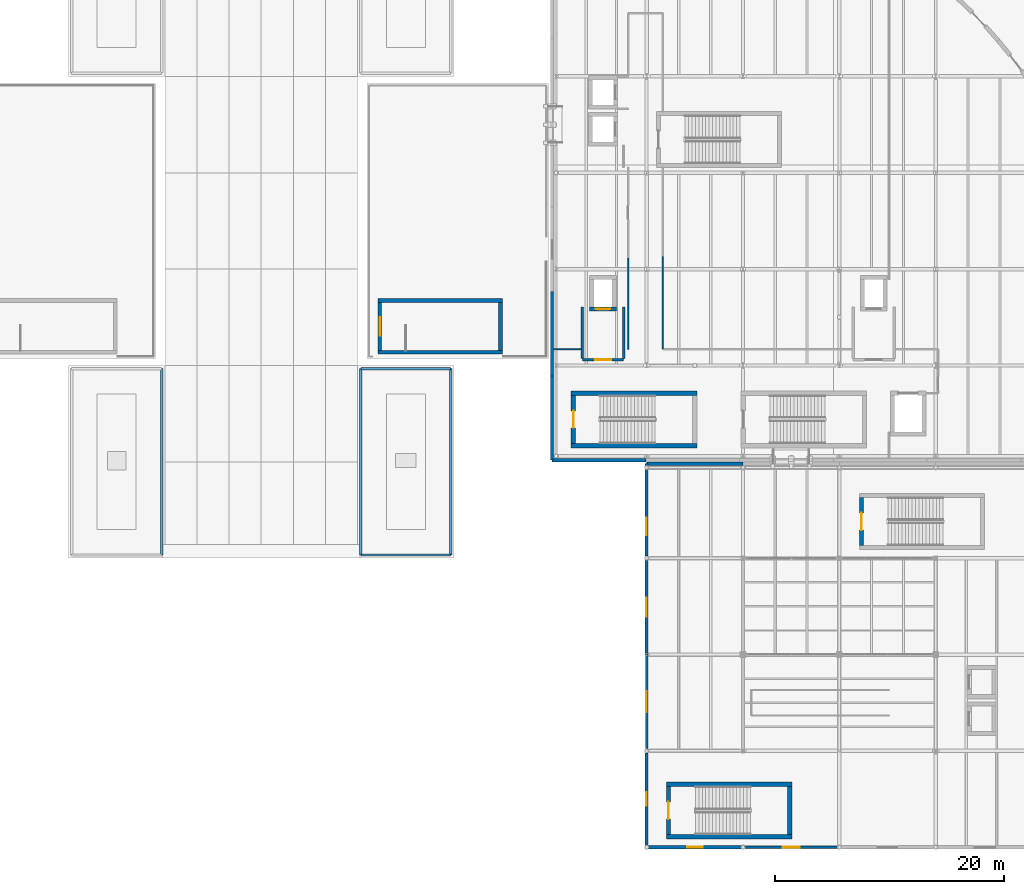
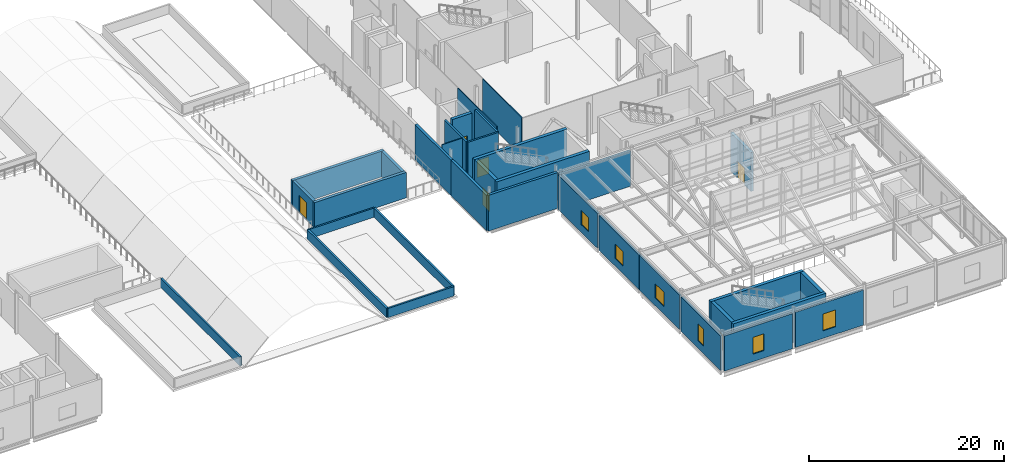
# One storey, part 67 of 91: 34 walls, 6 doors, 6 windows, 12 openings.
"""IFC4 building model written with IfcOpenShell, lengths in metres."""

import ifcopenshell
import ifcopenshell.guid

model = None  # the IFC model being written
_history = None  # IfcOwnerHistory: only IFC2X3 demands one
_inside = {}  # id of a spatial element -> (the spatial element, [elements in it])
_under = {}  # id of a project, library or spatial element -> (it, [spatial elements below it])
_declared = {}  # id of a project -> (the project, [libraries it declares])
_typed = {}  # id of a type object -> (the type object, [elements of that type])
_made_of = {}  # id of a material, layer set ... -> (it, [elements and type objects made of it])


def new_model(schema):
    """Start an empty IFC model of exactly this schema.

    Asked for "IFC4X3", IfcOpenShell would pick the latest addendum, in which some entities
    have other attributes; the version numbers below select the first issue.
    IFC2X3 requires an IfcOwnerHistory on every rooted entity: one is made here for all.
    """
    global model, _history
    if schema == "IFC4X3":
        model = ifcopenshell.file(schema_version=(4, 3, 0, 0))
    else:
        model = ifcopenshell.file(schema=schema)
    _inside.clear()
    _under.clear()
    _declared.clear()
    _typed.clear()
    _made_of.clear()
    _history = None
    if model.schema == "IFC2X3":
        org = make("IfcOrganization", Name="unknown")
        user = make(
            "IfcPersonAndOrganization",
            ThePerson=make("IfcPerson", FamilyName="unknown"),
            TheOrganization=org,
        )
        app = make(
            "IfcApplication",
            ApplicationDeveloper=org,
            Version="unknown",
            ApplicationFullName="unknown",
            ApplicationIdentifier="unknown",
        )
        _history = make(
            "IfcOwnerHistory",
            OwningUser=user,
            OwningApplication=app,
            ChangeAction="ADDED",
            CreationDate=0,
        )
    return model


def make(cls, **values):
    """One entity of the class cls with the attributes given. An attribute that is None is left unset."""
    return model.create_entity(
        cls, **{name: value for name, value in values.items() if value is not None}
    )


def rooted(cls, **values):
    """An entity with a GlobalId (a new one), such as an element, a storey or a relation."""
    return make(cls, GlobalId=ifcopenshell.guid.new(), OwnerHistory=_history, **values)


def si_unit(unit_type, name, prefix=None):
    """IfcSIUnit, for example si_unit("LENGTHUNIT", "METRE", prefix="MILLI")."""
    return make("IfcSIUnit", UnitType=unit_type, Prefix=prefix, Name=name)


def assignment(units):
    """IfcUnitAssignment: the units of a project."""
    return None if units is None else make("IfcUnitAssignment", Units=units)


def point(xyz):
    """IfcCartesianPoint."""
    return None if xyz is None else make("IfcCartesianPoint", Coordinates=xyz)


def direction(xyz):
    """IfcDirection."""
    return None if xyz is None else make("IfcDirection", DirectionRatios=xyz)


def frame(location, z_axis=None, x_axis=None):
    """IfcAxis2Placement3D, a coordinate frame: its origin and axes. An axis left out is left unset."""
    return make(
        "IfcAxis2Placement3D",
        Location=point(location),
        Axis=direction(z_axis),
        RefDirection=direction(x_axis),
    )


def frame_2d(location, x_axis=None):
    """IfcAxis2Placement2D, a coordinate frame in the plane: its origin and x axis."""
    return make(
        "IfcAxis2Placement2D", Location=point(location), RefDirection=direction(x_axis)
    )


def origin():
    """The frame at (0, 0, 0) with its axes left unset."""
    return frame((0.0, 0.0, 0.0))


def place(relative_to, where):
    """IfcLocalPlacement: puts the frame where relative to a parent placement (None: the world)."""
    return make(
        "IfcLocalPlacement", PlacementRelTo=relative_to, RelativePlacement=where
    )


def context(
    kind, dimensions, precision=None, world=None, true_north=None, identifier=None
):
    """IfcGeometricRepresentationContext, for example the 3D "Model" context."""
    return make(
        "IfcGeometricRepresentationContext",
        ContextIdentifier=identifier,
        ContextType=kind,
        CoordinateSpaceDimension=dimensions,
        Precision=precision,
        WorldCoordinateSystem=world,
        TrueNorth=true_north,
    )


def subcontext(parent, identifier, kind, view, scale=None):
    """IfcGeometricRepresentationSubContext, for example "Body" below "Model"."""
    return make(
        "IfcGeometricRepresentationSubContext",
        ContextIdentifier=identifier,
        ContextType=kind,
        ParentContext=parent,
        TargetScale=scale,
        TargetView=view,
    )


def project(units=None, contexts=None):
    """IfcProject with its units and contexts."""
    return rooted(
        "IfcProject",
        Name="project",
        RepresentationContexts=contexts,
        UnitsInContext=assignment(units),
    )


def spatial(cls, under=None, at=None, **own):
    """A site, building, storey or space (cls), placed at a placement, below another one or the project."""
    s = rooted(cls, ObjectPlacement=at, **own)
    if under is not None:
        _under.setdefault(under.id(), (under, []))[1].append(s)
    return s


def profile(cls, at=None, kind="AREA", **sizes):
    """A parametric profile (cls). Its sizes go by their IFC names, for example OverallWidth=200.0."""
    return make(cls, ProfileType=kind, Position=at, **sizes)


def rectangle(**sizes):
    """IfcRectangleProfileDef."""
    return profile("IfcRectangleProfileDef", **sizes)


def extrude(swept, where, along, depth):
    """IfcExtrudedAreaSolid: the profile swept, set in the frame where, extruded along a direction by depth."""
    return make(
        "IfcExtrudedAreaSolid",
        SweptArea=swept,
        Position=where,
        ExtrudedDirection=direction(along),
        Depth=depth,
    )


def shape(context_of_items, identifier, shape_type, items):
    """IfcShapeRepresentation: the items that make up one representation, for example the "Body"."""
    return make(
        "IfcShapeRepresentation",
        ContextOfItems=context_of_items,
        RepresentationIdentifier=identifier,
        RepresentationType=shape_type,
        Items=items,
    )


def material(Name=None, Category=None):
    """IfcMaterial."""
    return make("IfcMaterial", Name=Name, Category=Category)


def layer(
    of_material, thickness, ventilated=None, Name=None, Category=None, Priority=None
):
    """IfcMaterialLayer: one layer of a wall or slab, of a material (None: an air gap)."""
    return make(
        "IfcMaterialLayer",
        Material=of_material,
        LayerThickness=thickness,
        IsVentilated=ventilated,
        Name=Name,
        Category=Category,
        Priority=Priority,
    )


def layer_set(layers, Name=None):
    """IfcMaterialLayerSet."""
    return make("IfcMaterialLayerSet", MaterialLayers=layers, LayerSetName=Name)


def made_of(thing, what):
    """Note that an element or type object is made of a material, layer set ...; save() writes the relation."""
    if what is not None:
        _made_of.setdefault(what.id(), (what, []))[1].append(thing)
    return thing


def type_object(cls, material=None, **own):
    """A type object (cls), such as IfcWallType, which elements share."""
    return made_of(rooted(cls, **own), material)


def element(
    cls,
    number,
    at=None,
    inside=None,
    cuts=None,
    type_object=None,
    material=None,
    context=None,
    identifier="Body",
    shape_type=None,
    held_by="IfcProductDefinitionShape",
    body=None,
    shapes=None,
    **own,
):
    """One element of the class cls, such as IfcWall. Its Tag is "e" and its number.

    at: its placement. inside: the storey or other place that contains it. cuts: it is an
    opening in that element (IfcRelVoidsElement). A single representation is given by context,
    identifier, shape_type and body (its items); several are given by shapes. held_by: the class
    of the entity that holds the representations. save() writes the other relations.
    """
    e = rooted(cls, Tag="e%d" % number, ObjectPlacement=at, **own)
    if body is not None:
        shapes = [shape(context, identifier, shape_type, body)]
    if shapes is not None:
        e.Representation = make(held_by, Representations=shapes)
    if inside is not None:
        _inside.setdefault(inside.id(), (inside, []))[1].append(e)
    if cuts is not None:
        rooted(
            "IfcRelVoidsElement", RelatingBuildingElement=cuts, RelatedOpeningElement=e
        )
    if type_object is not None:
        _typed.setdefault(type_object.id(), (type_object, []))[1].append(e)
    return made_of(e, material)


def fill(opening, filler):
    """IfcRelFillsElement: the door or window that sits in an opening."""
    return rooted(
        "IfcRelFillsElement",
        RelatingOpeningElement=opening,
        RelatedBuildingElement=filler,
    )


def aggregate(whole, parts):
    """IfcRelAggregates: a whole, such as a stair, and the parts it consists of."""
    return rooted("IfcRelAggregates", RelatingObject=whole, RelatedObjects=parts)


def save(model, path):
    """Write the relations noted so far, then the file.

    IfcRelAggregates (storeys below a building ...), IfcRelContainedInSpatialStructure (elements
    in a storey), IfcRelDefinesByType, IfcRelAssociatesMaterial and IfcRelDeclares: one each for
    every whole, place, type object, material and project.
    """
    for whole, parts in _under.values():
        aggregate(whole, parts)
    for where, things in _inside.values():
        rooted(
            "IfcRelContainedInSpatialStructure",
            RelatedElements=things,
            RelatingStructure=where,
        )
    for kind, things in _typed.values():
        rooted("IfcRelDefinesByType", RelatedObjects=things, RelatingType=kind)
    for what, things in _made_of.values():
        rooted("IfcRelAssociatesMaterial", RelatedObjects=things, RelatingMaterial=what)
    for by, libraries in _declared.values():
        rooted("IfcRelDeclares", RelatingContext=by, RelatedDefinitions=libraries)
    model.write(path)


model = new_model("IFC4")

# Units and contexts
model_context = context("Model", 3, precision=1e-05, world=origin(), true_north=direction((0.0, 1.0)))
body_context = subcontext(model_context, "Body", "Model", "MODEL_VIEW")
ifc_project = project(units=[si_unit("LENGTHUNIT", "METRE"), si_unit("AREAUNIT", "SQUARE_METRE"), si_unit("VOLUMEUNIT", "CUBIC_METRE"), si_unit("PLANEANGLEUNIT", "RADIAN"), si_unit("MASSUNIT", "GRAM", prefix="KILO"), si_unit("THERMODYNAMICTEMPERATUREUNIT", "KELVIN")], contexts=[model_context])

# Site, building, storey
site_placement = place(None, origin())
site = spatial("IfcSite", under=ifc_project, at=site_placement, CompositionType="ELEMENT")
building_placement = place(site_placement, origin())
building = spatial("IfcBuilding", under=site, at=building_placement, Name="Lustrewick Department Store", CompositionType="ELEMENT")
storey_placement = place(building_placement, frame((0.0, 0.0, 21.60009765625)))
storey = spatial("IfcBuildingStorey", under=building, at=storey_placement, Name="L05", CompositionType="ELEMENT", Elevation=21.60009765625)

# Wall, opening, window
ifc_material_1 = material(Name="Precast concrete C40", Category="concrete")
ifc_layer_1 = layer(ifc_material_1, 0.239990234375, Name="Precast concrete C40")
ifc_layer_set_1 = layer_set([ifc_layer_1], Name="Precast concrete C40")
wall_type_1 = type_object("IfcWallType", Name="EW01", PredefinedType="STANDARD", material=ifc_layer_set_1)
wall_1_placement = place(storey_placement, frame((117.60009765625, 33.60009765625, 0.0), z_axis=(0.0, 0.0, 1.0), x_axis=(0.0, -1.0, 0.0)))
wall_1 = element("IfcWall", 1, at=wall_1_placement, inside=storey, type_object=wall_type_1, Name="L05 V3 Exterior Wall EW01", PredefinedType="STANDARD", context=body_context, shape_type="SweptSolid", body=[
    extrude(rectangle(XDim=8.22705078125, YDim=0.239990234375, at=frame_2d((4.113525390625, 0.0))), origin(), (0.0, 0.0, 1.0), 4.330810546875),
])
opening_1_placement = place(wall_1_placement, frame((3.21337890625, 0.0, 0.949951171875)))
opening_1 = element("IfcOpeningElement", 2, at=opening_1_placement, cuts=wall_1, Name="Opening WN05", PredefinedType="OPENING", context=body_context, shape_type="SweptSolid", body=[
    extrude(rectangle(XDim=1.800048828125, YDim=1.800048828125, at=frame_2d((0.89990234375, 0.89990234375))), frame((0.0, 0.1298828125, 0.0), z_axis=(0.0, -1.0, 0.0), x_axis=(1.0, 0.0, 0.0)), (0.0, 0.0, 1.0), 0.260009765625),
])
ifc_material_2 = material(Name="Thermally broken Low-E triple-glazed window", Category="glass")
window_type_1 = type_object("IfcWindowType", Name="WN05", PartitioningType="DOUBLE_PANEL_VERTICAL", PredefinedType="WINDOW", material=ifc_material_2)
window_1_placement = place(opening_1_placement, origin())
window_1 = element("IfcWindow", 3, at=window_1_placement, inside=storey, type_object=window_type_1, Name="L05 Art Nouveau Window WN05", OverallHeight=1.800048828125, OverallWidth=1.800048828125, PartitioningType="SINGLE_PANEL", PredefinedType="WINDOW", context=body_context, shape_type="SweptSolid", body=[
    extrude(rectangle(XDim=1.800048828125, YDim=1.800048828125, at=frame_2d((0.89990234375, 0.89990234375))), frame((0.0, 0.030029296875, 0.0), z_axis=(0.0, -1.0, 0.0), x_axis=(1.0, 0.0, 0.0)), (0.0, 0.0, 1.0), 0.06005859375),
])
fill(opening_1, window_1)

wall_2_placement = place(storey_placement, frame((126.173095703125, 16.800048828125, 0.0), z_axis=(0.0, 0.0, 1.0), x_axis=(1.0, 0.0, 0.0)))
wall_2 = element("IfcWall", 4, at=wall_2_placement, inside=storey, type_object=wall_type_1, Name="L05 V3 Exterior Wall EW01", PredefinedType="STANDARD", context=body_context, shape_type="SweptSolid", body=[
    extrude(rectangle(XDim=8.053955078125, YDim=0.239990234375, at=frame_2d((4.02685546875, 0.0))), origin(), (0.0, 0.0, 1.0), 4.39697265625),
])
opening_2_placement = place(wall_2_placement, frame((3.277099609375, 0.0, 0.949951171875)))
opening_2 = element("IfcOpeningElement", 5, at=opening_2_placement, cuts=wall_2, Name="Opening WN08", PredefinedType="OPENING", context=body_context, shape_type="SweptSolid", body=[
    extrude(rectangle(XDim=1.5, YDim=2.10009765625, at=frame_2d((0.75, 1.050048828125))), frame((0.0, 0.1298828125, 0.0), z_axis=(0.0, -1.0, 0.0), x_axis=(1.0, 0.0, 0.0)), (0.0, 0.0, 1.0), 0.260009765625),
])
window_type_2 = type_object("IfcWindowType", Name="WN08", PartitioningType="DOUBLE_PANEL_VERTICAL", PredefinedType="WINDOW", material=ifc_material_2)
window_2_placement = place(opening_2_placement, origin())
window_2 = element("IfcWindow", 6, at=window_2_placement, inside=storey, type_object=window_type_2, Name="L05 Art Nouveau Window WN08", OverallHeight=2.10009765625, OverallWidth=1.5, PartitioningType="SINGLE_PANEL", PredefinedType="WINDOW", context=body_context, shape_type="SweptSolid", body=[
    extrude(rectangle(XDim=1.5, YDim=2.10009765625, at=frame_2d((0.75, 1.050048828125))), frame((0.0, 0.030029296875, 0.0), z_axis=(0.0, -1.0, 0.0), x_axis=(1.0, 0.0, 0.0)), (0.0, 0.0, 1.0), 0.06005859375),
])
fill(opening_2, window_2)

ifc_layer_2 = layer(ifc_material_1, 0.260009765625, Name="Precast concrete C40")
ifc_layer_set_2 = layer_set([ifc_layer_2], Name="Precast concrete C40")
wall_type_2 = type_object("IfcWallType", Name="EW02", PredefinedType="STANDARD", material=ifc_layer_set_2)
wall_3_placement = place(storey_placement, frame((117.60009765625, 50.25, 0.0), z_axis=(0.0, 0.0, 1.0), x_axis=(0.0, -1.0, 0.0)))
wall_3 = element("IfcWall", 7, at=wall_3_placement, inside=storey, type_object=wall_type_2, Name="L05 V3 Exterior Wall EW02", PredefinedType="STANDARD", context=body_context, shape_type="SweptSolid", body=[
    extrude(rectangle(XDim=8.076904296875, YDim=0.260009765625, at=frame_2d((4.03857421875, 0.0))), origin(), (0.0, 0.0, 1.0), 4.330810546875),
])
opening_3_placement = place(wall_3_placement, frame((4.742431640625, 0.0, 0.949951171875)))
opening_3 = element("IfcOpeningElement", 8, at=opening_3_placement, cuts=wall_3, Name="Opening WN03", PredefinedType="OPENING", context=body_context, shape_type="SweptSolid", body=[
    extrude(rectangle(XDim=1.5, YDim=1.800048828125, at=frame_2d((0.75, 0.89990234375))), frame((0.0, 0.14013671875, 0.0), z_axis=(0.0, -1.0, 0.0), x_axis=(1.0, 0.0, 0.0)), (0.0, 0.0, 1.0), 0.280029296875),
])
window_type_3 = type_object("IfcWindowType", Name="WN03", PartitioningType="DOUBLE_PANEL_VERTICAL", PredefinedType="WINDOW", material=ifc_material_2)
window_3_placement = place(opening_3_placement, origin())
window_3 = element("IfcWindow", 9, at=window_3_placement, inside=storey, type_object=window_type_3, Name="L05 Art Nouveau Window WN03", OverallHeight=1.800048828125, OverallWidth=1.5, PartitioningType="SINGLE_PANEL", PredefinedType="WINDOW", context=body_context, shape_type="SweptSolid", body=[
    extrude(rectangle(XDim=1.5, YDim=1.800048828125, at=frame_2d((0.75, 0.89990234375))), frame((0.0, 0.030029296875, 0.0), z_axis=(0.0, -1.0, 0.0), x_axis=(1.0, 0.0, 0.0)), (0.0, 0.0, 1.0), 0.06005859375),
])
fill(opening_3, window_3)

wall_4_placement = place(storey_placement, frame((117.60009765625, 25.027099609375, 0.0), z_axis=(0.0, 0.0, 1.0), x_axis=(0.0, -1.0, 0.0)))
wall_4 = element("IfcWall", 10, at=wall_4_placement, inside=storey, type_object=wall_type_2, Name="L05 V3 Exterior Wall EW02", PredefinedType="STANDARD", context=body_context, shape_type="SweptSolid", body=[
    extrude(rectangle(XDim=8.05419921875, YDim=0.260009765625, at=frame_2d((4.027099609375, 0.0))), origin(), (0.0, 0.0, 1.0), 4.330810546875),
])
opening_4_placement = place(wall_4_placement, frame((3.427001953125, 0.0, 0.949951171875)))
opening_4 = element("IfcOpeningElement", 11, at=opening_4_placement, cuts=wall_4, Name="Opening WN06", PredefinedType="OPENING", context=body_context, shape_type="SweptSolid", body=[
    extrude(rectangle(XDim=1.199951171875, YDim=2.10009765625, at=frame_2d((0.60009765625, 1.050048828125))), frame((0.0, 0.14013671875, 0.0), z_axis=(0.0, -1.0, 0.0), x_axis=(1.0, 0.0, 0.0)), (0.0, 0.0, 1.0), 0.280029296875),
])
window_type_4 = type_object("IfcWindowType", Name="WN06", PartitioningType="DOUBLE_PANEL_VERTICAL", PredefinedType="WINDOW", material=ifc_material_2)
window_4_placement = place(opening_4_placement, origin())
window_4 = element("IfcWindow", 12, at=window_4_placement, inside=storey, type_object=window_type_4, Name="L05 Art Nouveau Window WN06", OverallHeight=2.10009765625, OverallWidth=1.199951171875, PartitioningType="SINGLE_PANEL", PredefinedType="WINDOW", context=body_context, shape_type="SweptSolid", body=[
    extrude(rectangle(XDim=1.199951171875, YDim=2.10009765625, at=frame_2d((0.60009765625, 1.050048828125))), frame((0.0, 0.030029296875, 0.0), z_axis=(0.0, -1.0, 0.0), x_axis=(1.0, 0.0, 0.0)), (0.0, 0.0, 1.0), 0.06005859375),
])
fill(opening_4, window_4)

ifc_layer_3 = layer(ifc_material_1, 0.280029296875, Name="Precast concrete C40")
ifc_layer_set_3 = layer_set([ifc_layer_3], Name="Precast concrete C40")
wall_type_3 = type_object("IfcWallType", Name="EW03", PredefinedType="STANDARD", material=ifc_layer_set_3)
wall_5_placement = place(storey_placement, frame((117.60009765625, 41.826904296875, 0.0), z_axis=(0.0, 0.0, 1.0), x_axis=(0.0, -1.0, 0.0)))
wall_5 = element("IfcWall", 13, at=wall_5_placement, inside=storey, type_object=wall_type_3, Name="L05 V3 Exterior Wall EW03", PredefinedType="STANDARD", context=body_context, shape_type="SweptSolid", body=[
    extrude(rectangle(XDim=8.226806640625, YDim=0.280029296875, at=frame_2d((4.11328125, 0.0))), origin(), (0.0, 0.0, 1.0), 4.330810546875),
])
opening_5_placement = place(wall_5_placement, frame((3.2734375, 0.0, 0.949951171875)))
opening_5 = element("IfcOpeningElement", 14, at=opening_5_placement, cuts=wall_5, Name="Opening WN04", PredefinedType="OPENING", context=body_context, shape_type="SweptSolid", body=[
    extrude(rectangle(XDim=1.679931640625, YDim=1.800048828125, at=frame_2d((0.83984375, 0.89990234375))), frame((0.0, 0.14990234375, 0.0), z_axis=(0.0, -1.0, 0.0), x_axis=(1.0, 0.0, 0.0)), (0.0, 0.0, 1.0), 0.300048828125),
])
window_type_5 = type_object("IfcWindowType", Name="WN04", PartitioningType="DOUBLE_PANEL_VERTICAL", PredefinedType="WINDOW", material=ifc_material_2)
window_5_placement = place(opening_5_placement, origin())
window_5 = element("IfcWindow", 15, at=window_5_placement, inside=storey, type_object=window_type_5, Name="L05 Art Nouveau Window WN04", OverallHeight=1.800048828125, OverallWidth=1.679931640625, PartitioningType="SINGLE_PANEL", PredefinedType="WINDOW", context=body_context, shape_type="SweptSolid", body=[
    extrude(rectangle(XDim=1.679931640625, YDim=1.800048828125, at=frame_2d((0.83984375, 0.89990234375))), frame((0.0, 0.030029296875, 0.0), z_axis=(0.0, -1.0, 0.0), x_axis=(1.0, 0.0, 0.0)), (0.0, 0.0, 1.0), 0.06005859375),
])
fill(opening_5, window_5)

wall_6_placement = place(storey_placement, frame((117.77294921875, 16.800048828125, 0.0), z_axis=(0.0, 0.0, 1.0), x_axis=(1.0, 0.0, 0.0)))
wall_6 = element("IfcWall", 16, at=wall_6_placement, inside=storey, type_object=wall_type_3, Name="L05 V3 Exterior Wall EW03", PredefinedType="STANDARD", context=body_context, shape_type="SweptSolid", body=[
    extrude(rectangle(XDim=8.053955078125, YDim=0.280029296875, at=frame_2d((4.02685546875, 0.0))), origin(), (0.0, 0.0, 1.0), 4.39697265625),
])
opening_6_placement = place(wall_6_placement, frame((3.35205078125, 0.0, 0.949951171875)))
opening_6 = element("IfcOpeningElement", 17, at=opening_6_placement, cuts=wall_6, Name="Opening WN07", PredefinedType="OPENING", context=body_context, shape_type="SweptSolid", body=[
    extrude(rectangle(XDim=1.35009765625, YDim=2.10009765625, at=frame_2d((0.675048828125, 1.050048828125))), frame((0.0, 0.14990234375, 0.0), z_axis=(0.0, -1.0, 0.0), x_axis=(1.0, 0.0, 0.0)), (0.0, 0.0, 1.0), 0.300048828125),
])
window_type_6 = type_object("IfcWindowType", Name="WN07", PartitioningType="DOUBLE_PANEL_VERTICAL", PredefinedType="WINDOW", material=ifc_material_2)
window_6_placement = place(opening_6_placement, origin())
window_6 = element("IfcWindow", 18, at=window_6_placement, inside=storey, type_object=window_type_6, Name="L05 Art Nouveau Window WN07", OverallHeight=2.10009765625, OverallWidth=1.35009765625, PartitioningType="SINGLE_PANEL", PredefinedType="WINDOW", context=body_context, shape_type="SweptSolid", body=[
    extrude(rectangle(XDim=1.35009765625, YDim=2.10009765625, at=frame_2d((0.675048828125, 1.050048828125))), frame((0.0, 0.030029296875, 0.0), z_axis=(0.0, -1.0, 0.0), x_axis=(1.0, 0.0, 0.0)), (0.0, 0.0, 1.0), 0.06005859375),
])
fill(opening_6, window_6)

# Walls
ifc_layer_4 = layer(ifc_material_1, 0.300048828125, Name="Precast concrete C40")
ifc_layer_set_4 = layer_set([ifc_layer_4], Name="Precast concrete C40")
wall_type_4 = type_object("IfcWallType", Name="EW04", PredefinedType="STANDARD", material=ifc_layer_set_4)
wall_7_placement = place(storey_placement, frame((126.0, 50.25, 0.0), z_axis=(0.0, 0.0, 1.0), x_axis=(-1.0, 0.0, 0.0)))
element("IfcWall", 19, at=wall_7_placement, inside=storey, type_object=wall_type_4, Name="L05 V3 Exterior Wall EW04", PredefinedType="STANDARD", context=body_context, shape_type="SweptSolid", body=[
    extrude(rectangle(XDim=8.39990234375, YDim=0.300048828125, at=frame_2d((4.199951171875, 0.0))), origin(), (0.0, 0.0, 1.0), 4.39697265625),
])
wall_8_placement = place(storey_placement, frame((109.35009765625, 50.550048828125, 0.0), z_axis=(0.0, 0.0, 1.0), x_axis=(1.0, 0.0, 0.0)))
element("IfcWall", 20, at=wall_8_placement, inside=storey, type_object=wall_type_4, Name="L05 V4 Exterior Wall EW04", PredefinedType="STANDARD", context=body_context, shape_type="SweptSolid", body=[
    extrude(rectangle(XDim=8.1748046875, YDim=0.300048828125, at=frame_2d((4.08740234375, 0.0))), origin(), (0.0, 0.0, 1.0), 4.48681640625),
])
wall_9_placement = place(storey_placement, frame((109.35009765625, 65.25, 0.0), z_axis=(0.0, 0.0, 1.0), x_axis=(0.0, -1.0, 0.0)))
element("IfcWall", 21, at=wall_9_placement, inside=storey, type_object=wall_type_4, Name="L05 V4 Exterior Wall EW04", PredefinedType="STANDARD", context=body_context, shape_type="SweptSolid", body=[
    extrude(rectangle(XDim=7.35009765625, YDim=0.300048828125, at=frame_2d((3.675048828125, 0.0))), origin(), (0.0, 0.0, 1.0), 4.39697265625),
])
wall_10_placement = place(storey_placement, frame((109.35009765625, 57.89990234375, 0.0), z_axis=(0.0, 0.0, 1.0), x_axis=(0.0, -1.0, 0.0)))
element("IfcWall", 22, at=wall_10_placement, inside=storey, type_object=wall_type_4, Name="L05 V4 Exterior Wall EW04", PredefinedType="STANDARD", context=body_context, shape_type="SweptSolid", body=[
    extrude(rectangle(XDim=7.349853515625, YDim=0.300048828125, at=frame_2d((3.6748046875, 0.0))), origin(), (0.0, 0.0, 1.0), 4.39697265625),
])
ifc_layer_5 = layer(ifc_material_1, 0.18994140625, Name="Precast concrete C40")
ifc_layer_set_5 = layer_set([ifc_layer_5], Name="Precast concrete C40")
wall_type_5 = type_object("IfcWallType", Name="PA01", PredefinedType="PARAPET", material=ifc_layer_set_5)
wall_11_placement = place(storey_placement, frame((75.320068359375, 58.52001953125, 0.0), z_axis=(0.0, 0.0, 1.0), x_axis=(0.0, -1.0, 0.0)))
element("IfcWall", 23, at=wall_11_placement, inside=storey, type_object=wall_type_5, Name="L05 Roof Parapet PA01", PredefinedType="PARAPET", context=body_context, shape_type="SweptSolid", body=[
    extrude(rectangle(XDim=16.239990234375, YDim=0.18994140625, at=frame_2d((8.1201171875, 0.0))), origin(), (0.0, 0.0, 1.0), 1.14990234375),
])
wall_12_placement = place(storey_placement, frame((92.679931640625, 58.52001953125, 0.0), z_axis=(0.0, 0.0, 1.0), x_axis=(1.0, 0.0, 0.0)))
element("IfcWall", 24, at=wall_12_placement, inside=storey, type_object=wall_type_5, Name="L05 Roof Parapet PA01", PredefinedType="PARAPET", context=body_context, shape_type="SweptSolid", body=[
    extrude(rectangle(XDim=7.840087890625, YDim=0.18994140625, at=frame_2d((3.919921875, 0.0))), origin(), (0.0, 0.0, 1.0), 1.14990234375),
])
ifc_layer_6 = layer(ifc_material_1, 0.2099609375, Name="Precast concrete C40")
ifc_layer_set_6 = layer_set([ifc_layer_6], Name="Precast concrete C40")
wall_type_6 = type_object("IfcWallType", Name="PA02", PredefinedType="PARAPET", material=ifc_layer_set_6)
wall_13_placement = place(storey_placement, frame((100.52001953125, 42.280029296875, 0.0), z_axis=(0.0, 0.0, 1.0), x_axis=(-1.0, 0.0, 0.0)))
element("IfcWall", 25, at=wall_13_placement, inside=storey, type_object=wall_type_6, Name="L05 Roof Parapet PA02", PredefinedType="PARAPET", context=body_context, shape_type="SweptSolid", body=[
    extrude(rectangle(XDim=7.840087890625, YDim=0.2099609375, at=frame_2d((3.919921875, 0.0))), origin(), (0.0, 0.0, 1.0), 1.14990234375),
])
wall_14_placement = place(storey_placement, frame((100.52001953125, 58.52001953125, 0.0), z_axis=(0.0, 0.0, 1.0), x_axis=(0.0, -1.0, 0.0)))
element("IfcWall", 26, at=wall_14_placement, inside=storey, type_object=wall_type_6, Name="L05 Roof Parapet PA02", PredefinedType="PARAPET", context=body_context, shape_type="SweptSolid", body=[
    extrude(rectangle(XDim=16.239990234375, YDim=0.2099609375, at=frame_2d((8.1201171875, 0.0))), origin(), (0.0, 0.0, 1.0), 1.14990234375),
])
ifc_layer_7 = layer(ifc_material_1, 0.22998046875, Name="Precast concrete C40")
ifc_layer_set_7 = layer_set([ifc_layer_7], Name="Precast concrete C40")
wall_type_7 = type_object("IfcWallType", Name="PA03", PredefinedType="PARAPET", material=ifc_layer_set_7)
wall_15_placement = place(storey_placement, frame((92.679931640625, 42.280029296875, 0.0), z_axis=(0.0, 0.0, 1.0), x_axis=(0.0, 1.0, 0.0)))
element("IfcWall", 27, at=wall_15_placement, inside=storey, type_object=wall_type_7, Name="L05 Roof Parapet PA03", PredefinedType="PARAPET", context=body_context, shape_type="SweptSolid", body=[
    extrude(rectangle(XDim=16.239990234375, YDim=0.22998046875, at=frame_2d((8.1201171875, 0.0))), origin(), (0.0, 0.0, 1.0), 1.14990234375),
])

# Wall, opening, door
ifc_material_3 = material(Name="Autoclaved aerated concrete blockwork and fire board", Category="masonry")
ifc_layer_8 = layer(ifc_material_3, 0.205078125, Name="Autoclaved aerated concrete blockwork and fire board")
ifc_layer_set_8 = layer_set([ifc_layer_8], Name="Autoclaved aerated concrete blockwork and fire board")
wall_type_8 = type_object("IfcWallType", Name="PW02", PredefinedType="PARTITIONING", material=ifc_layer_set_8)
wall_16_placement = place(storey_placement, frame((112.0, 59.300048828125, 0.0), z_axis=(0.0, 0.0, 1.0), x_axis=(1.0, 0.0, 0.0)))
wall_16 = element("IfcWall", 28, at=wall_16_placement, inside=storey, type_object=wall_type_8, Name="L05 Firefighting Lift Lobby FFL-04 PW02", PredefinedType="PARTITIONING", context=body_context, shape_type="SweptSolid", body=[
    extrude(rectangle(XDim=3.60009765625, YDim=0.205078125, at=frame_2d((1.800048828125, 0.0))), origin(), (0.0, 0.0, 1.0), 4.844970703125),
])
opening_7_placement = place(wall_16_placement, frame((1.10009765625, 0.0, 0.0)))
opening_7 = element("IfcOpeningElement", 29, at=opening_7_placement, cuts=wall_16, Name="Opening D-L05-049", PredefinedType="OPENING", context=body_context, shape_type="SweptSolid", body=[
    extrude(rectangle(XDim=1.39990234375, YDim=2.14990234375, at=frame_2d((0.699951171875, 1.074951171875))), frame((0.0, 0.112548828125, 0.0), z_axis=(0.0, -1.0, 0.0), x_axis=(1.0, 0.0, 0.0)), (0.0, 0.0, 1.0), 0.22509765625),
])
ifc_material_4 = material(Name="Steel fire door Class B EI 60", Category="steel")
door_type_1 = type_object("IfcDoorType", Name="DT-08", OperationType="NOTDEFINED", PredefinedType="DOOR", material=ifc_material_4)
door_1_placement = place(opening_7_placement, origin())
door_1 = element("IfcDoor", 30, at=door_1_placement, inside=storey, type_object=door_type_1, Name="L05 Firefighting Lift Lobby FFL-04 Door D-L05-049", OperationType="SINGLE_SWING_LEFT", OverallHeight=2.14990234375, OverallWidth=1.39990234375, PredefinedType="DOOR", context=body_context, shape_type="SweptSolid", body=[
    extrude(rectangle(XDim=1.39990234375, YDim=2.14990234375, at=frame_2d((0.699951171875, 1.074951171875))), frame((0.0, 0.02490234375, 0.0), z_axis=(0.0, -1.0, 0.0), x_axis=(1.0, 0.0, 0.0)), (0.0, 0.0, 1.0), 0.050048828125),
])
fill(opening_7, door_1)

# Walls
for number, where, z_axis, x_axis, name in (
    (31, (115.60009765625, 59.3974609375, 0.0), (0.0, 0.0, 1.0), (0.0, 1.0, 0.0), "L05 Firefighting Lift Lobby FFL-04 PW02"),
    (32, (112.0, 63.89990234375, 0.0), (0.0, 0.0, 1.0), (0.0, -1.0, 0.0), "L05 Firefighting Lift Lobby FFL-04 PW02"),
):
    element("IfcWall", number, at=place(storey_placement, frame(where, z_axis=z_axis, x_axis=x_axis)), inside=storey, type_object=wall_type_8, Name=name, PredefinedType="PARTITIONING", context=body_context, shape_type="SweptSolid", body=[
        extrude(rectangle(XDim=4.50244140625, YDim=0.205078125, at=frame_2d((2.251220703125, 0.0))), origin(), (0.0, 0.0, 1.0), 4.844970703125),
    ])
ifc_material_5 = material(Name="Lightweight demountable studio partition", Category="gypsum")
ifc_layer_9 = layer(ifc_material_5, 0.10498046875, Name="Lightweight demountable studio partition")
ifc_layer_set_9 = layer_set([ifc_layer_9], Name="Lightweight demountable studio partition")
wall_type_9 = type_object("IfcWallType", Name="PW08", PredefinedType="PARTITIONING", material=ifc_layer_set_9)
wall_17_placement = place(storey_placement, frame((115.989990234375, 60.2099609375, 0.0), z_axis=(0.0, 0.0, 1.0), x_axis=(0.0, 1.0, 0.0)))
element("IfcWall", 33, at=wall_17_placement, inside=storey, type_object=wall_type_9, Name="L05 Store Buying Office PW08", PredefinedType="PARTITIONING", context=body_context, shape_type="SweptSolid", body=[
    extrude(rectangle(XDim=7.93994140625, YDim=0.10498046875, at=frame_2d((3.969970703125, 0.0))), origin(), (0.0, 0.0, 1.0), 4.844970703125),
])
wall_18_placement = place(storey_placement, frame((109.4951171875, 60.2099609375, 0.0), z_axis=(0.0, 0.0, 1.0), x_axis=(1.0, 0.0, 0.0)))
element("IfcWall", 34, at=wall_18_placement, inside=storey, type_object=wall_type_9, Name="L05 Store Buying Office PW08", PredefinedType="PARTITIONING", context=body_context, shape_type="SweptSolid", body=[
    extrude(rectangle(XDim=2.407470703125, YDim=0.10498046875, at=frame_2d((1.20361328125, 0.0))), origin(), (0.0, 0.0, 1.0), 4.844970703125),
])
wall_19_placement = place(storey_placement, frame((119.010009765625, 68.300048828125, 0.0), z_axis=(0.0, 0.0, 1.0), x_axis=(0.0, -1.0, 0.0)))
element("IfcWall", 35, at=wall_19_placement, inside=storey, type_object=wall_type_9, Name="L05 Store Buying Office PW08", PredefinedType="PARTITIONING", context=body_context, shape_type="SweptSolid", body=[
    extrude(rectangle(XDim=8.04248046875, YDim=0.10498046875, at=frame_2d((4.021240234375, 0.0))), origin(), (0.0, 0.0, 1.0), 4.844970703125),
])
ifc_material_6 = material(Name="Concrete C40", Category="concrete")
ifc_layer_10 = layer(ifc_material_6, 0.3798828125, Name="Concrete C40")
ifc_layer_set_10 = layer_set([ifc_layer_10], Name="Concrete C40")
wall_type_10 = type_object("IfcWallType", Name="SW03", PredefinedType="SHEAR", material=ifc_layer_set_10)
wall_20_placement = place(storey_placement, frame((119.320068359375, 17.7099609375, 0.0), z_axis=(0.0, 0.0, 1.0), x_axis=(1.0, 0.0, 0.0)))
element("IfcWall", 36, at=wall_20_placement, inside=storey, type_object=wall_type_10, Name="L05 Stair Core ST07 Shear Wall S", PredefinedType="SHEAR", context=body_context, shape_type="SweptSolid", body=[
    extrude(rectangle(XDim=10.9599609375, YDim=0.3798828125, at=frame_2d((5.47998046875, 0.0))), origin(), (0.0, 0.0, 1.0), 4.844970703125),
])
wall_21_placement = place(storey_placement, frame((130.090087890625, 17.89990234375, 0.0), z_axis=(0.0, 0.0, 1.0), x_axis=(0.0, 1.0, 0.0)))
element("IfcWall", 37, at=wall_21_placement, inside=storey, type_object=wall_type_10, Name="L05 Stair Core ST07 Shear Wall E", PredefinedType="SHEAR", context=body_context, shape_type="SweptSolid", body=[
    extrude(rectangle(XDim=4.2001953125, YDim=0.3798828125, at=frame_2d((2.10009765625, 0.0))), origin(), (0.0, 0.0, 1.0), 4.844970703125),
])
wall_22_placement = place(storey_placement, frame((130.280029296875, 22.2900390625, 0.0), z_axis=(0.0, 0.0, 1.0), x_axis=(-1.0, 0.0, 0.0)))
element("IfcWall", 38, at=wall_22_placement, inside=storey, type_object=wall_type_10, Name="L05 Stair Core ST07 Shear Wall N", PredefinedType="SHEAR", context=body_context, shape_type="SweptSolid", body=[
    extrude(rectangle(XDim=10.9599609375, YDim=0.3798828125, at=frame_2d((5.47998046875, 0.0))), origin(), (0.0, 0.0, 1.0), 4.844970703125),
])

# Wall, opening, door
wall_23_placement = place(storey_placement, frame((119.510009765625, 22.10009765625, 0.0), z_axis=(0.0, 0.0, 1.0), x_axis=(0.0, -1.0, 0.0)))
wall_23 = element("IfcWall", 39, at=wall_23_placement, inside=storey, type_object=wall_type_10, Name="L05 Stair Core ST07 Shear Wall W", PredefinedType="SHEAR", context=body_context, shape_type="SweptSolid", body=[
    extrude(rectangle(XDim=4.2001953125, YDim=0.3798828125, at=frame_2d((2.10009765625, 0.0))), origin(), (0.0, 0.0, 1.0), 4.844970703125),
])
opening_8_placement = place(wall_23_placement, frame((1.35009765625, 0.0, 0.0)))
opening_8 = element("IfcOpeningElement", 40, at=opening_8_placement, cuts=wall_23, Name="Opening D-L05-006", PredefinedType="OPENING", context=body_context, shape_type="SweptSolid", body=[
    extrude(rectangle(XDim=1.5, YDim=2.14990234375, at=frame_2d((0.75, 1.074951171875))), frame((0.0, 0.199951171875, 0.0), z_axis=(0.0, -1.0, 0.0), x_axis=(1.0, 0.0, 0.0)), (0.0, 0.0, 1.0), 0.39990234375),
])
door_type_2 = type_object("IfcDoorType", Name="DT-07", OperationType="NOTDEFINED", PredefinedType="DOOR", material=ifc_material_4)
door_2_placement = place(opening_8_placement, origin())
door_2 = element("IfcDoor", 41, at=door_2_placement, inside=storey, type_object=door_type_2, Name="L05 Smoke-Proof Stair ST07 Fire Door", OperationType="SINGLE_SWING_LEFT", OverallHeight=2.14990234375, OverallWidth=1.5, PredefinedType="DOOR", context=body_context, shape_type="SweptSolid", body=[
    extrude(rectangle(XDim=1.5, YDim=2.14990234375, at=frame_2d((0.75, 1.074951171875))), frame((0.0, 0.02490234375, 0.0), z_axis=(0.0, -1.0, 0.0), x_axis=(1.0, 0.0, 0.0)), (0.0, 0.0, 1.0), 0.050048828125),
])
fill(opening_8, door_2)

# Walls
for number, where, z_axis, x_axis, name in (
    (42, (111.02001953125, 51.81005859375, 0.0), (0.0, 0.0, 1.0), (1.0, 0.0, 0.0), "L05 Stair Core ST09 Shear Wall S"),
    (43, (121.97998046875, 56.389892578125, 0.0), (0.0, 0.0, 1.0), (-1.0, 0.0, 0.0), "L05 Stair Core ST09 Shear Wall N"),
):
    element("IfcWall", number, at=place(storey_placement, frame(where, z_axis=z_axis, x_axis=x_axis)), inside=storey, type_object=wall_type_10, Name=name, PredefinedType="SHEAR", context=body_context, shape_type="SweptSolid", body=[
        extrude(rectangle(XDim=10.9599609375, YDim=0.3798828125, at=frame_2d((5.47998046875, 0.0))), origin(), (0.0, 0.0, 1.0), 4.844970703125),
    ])

# Wall, opening, door
wall_24_placement = place(storey_placement, frame((111.2099609375, 56.199951171875, 0.0), z_axis=(0.0, 0.0, 1.0), x_axis=(0.0, -1.0, 0.0)))
wall_24 = element("IfcWall", 44, at=wall_24_placement, inside=storey, type_object=wall_type_10, Name="L05 Stair Core ST09 Shear Wall W", PredefinedType="SHEAR", context=body_context, shape_type="SweptSolid", body=[
    extrude(rectangle(XDim=4.199951171875, YDim=0.3798828125, at=frame_2d((2.10009765625, 0.0))), origin(), (0.0, 0.0, 1.0), 4.844970703125),
])
opening_9_placement = place(wall_24_placement, frame((1.35009765625, 0.0, 0.0)))
opening_9 = element("IfcOpeningElement", 45, at=opening_9_placement, cuts=wall_24, Name="Opening D-L05-008", PredefinedType="OPENING", context=body_context, shape_type="SweptSolid", body=[
    extrude(rectangle(XDim=1.5, YDim=2.14990234375, at=frame_2d((0.75, 1.074951171875))), frame((0.0, 0.199951171875, 0.0), z_axis=(0.0, -1.0, 0.0), x_axis=(1.0, 0.0, 0.0)), (0.0, 0.0, 1.0), 0.39990234375),
])
door_3_placement = place(opening_9_placement, origin())
door_3 = element("IfcDoor", 46, at=door_3_placement, inside=storey, type_object=door_type_2, Name="L05 Smoke-Proof Stair ST09 Fire Door", OperationType="SINGLE_SWING_LEFT", OverallHeight=2.14990234375, OverallWidth=1.5, PredefinedType="DOOR", context=body_context, shape_type="SweptSolid", body=[
    extrude(rectangle(XDim=1.5, YDim=2.14990234375, at=frame_2d((0.75, 1.074951171875))), frame((0.0, 0.02490234375, 0.0), z_axis=(0.0, -1.0, 0.0), x_axis=(1.0, 0.0, 0.0)), (0.0, 0.0, 1.0), 0.050048828125),
])
fill(opening_9, door_3)

ifc_layer_11 = layer(ifc_material_6, 0.360107421875, Name="Concrete C40")
ifc_layer_set_11 = layer_set([ifc_layer_11], Name="Concrete C40")
wall_type_11 = type_object("IfcWallType", Name="SW04", PredefinedType="SHEAR", material=ifc_layer_set_11)
wall_25_placement = place(storey_placement, frame((112.639892578125, 63.719970703125, 0.0), z_axis=(0.0, 0.0, 1.0), x_axis=(1.0, 0.0, 0.0)))
wall_25 = element("IfcWall", 47, at=wall_25_placement, inside=storey, type_object=wall_type_11, Name="L05 Lift FFL-04 Shaft Wall -Y", PredefinedType="SHEAR", context=body_context, shape_type="SweptSolid", body=[
    extrude(rectangle(XDim=2.320068359375, YDim=0.360107421875, at=frame_2d((1.16015625, 0.0))), origin(), (0.0, 0.0, 1.0), 4.844970703125),
])
opening_10_placement = place(wall_25_placement, frame((0.534912109375, 0.0, 0.0)))
opening_10 = element("IfcOpeningElement", 48, at=opening_10_placement, cuts=wall_25, Name="Opening LD-L05-03", PredefinedType="OPENING", context=body_context, shape_type="SweptSolid", body=[
    extrude(rectangle(XDim=1.25, YDim=2.199951171875, at=frame_2d((0.625, 1.10009765625))), frame((0.0, 0.18994140625, 0.0), z_axis=(0.0, -1.0, 0.0), x_axis=(1.0, 0.0, 0.0)), (0.0, 0.0, 1.0), 0.380126953125),
])
ifc_material_7 = material(Name="Stainless steel firefighting lift landing door EI 90", Category="steel")
door_type_3 = type_object("IfcDoorType", Name="DT-15", OperationType="NOTDEFINED", PredefinedType="DOOR", material=ifc_material_7)
door_4_placement = place(opening_10_placement, frame((1.25, 0.0, 0.0), z_axis=(0.0, 0.0, 1.0), x_axis=(-1.0, 0.0, 0.0)))
door_4 = element("IfcDoor", 49, at=door_4_placement, inside=storey, type_object=door_type_3, Name="L05 Lift FFL-04 Sliding Landing Door LD-L05-03", OperationType="DOUBLE_DOOR_SLIDING", OverallHeight=2.199951171875, OverallWidth=1.25, PredefinedType="DOOR", context=body_context, shape_type="SweptSolid", body=[
    extrude(rectangle(XDim=1.25, YDim=2.199951171875, at=frame_2d((0.625, 1.10009765625))), frame((0.0, 0.02490234375, 0.0), z_axis=(0.0, -1.0, 0.0), x_axis=(1.0, 0.0, 0.0)), (0.0, 0.0, 1.0), 0.050048828125),
])
fill(opening_10, door_4)

ifc_layer_12 = layer(ifc_material_6, 0.340087890625, Name="Concrete C40")
ifc_layer_set_12 = layer_set([ifc_layer_12], Name="Concrete C40")
wall_type_12 = type_object("IfcWallType", Name="SW05", PredefinedType="SHEAR", material=ifc_layer_set_12)
wall_26_placement = place(storey_placement, frame((136.330078125, 47.300048828125, 0.0), z_axis=(0.0, 0.0, 1.0), x_axis=(0.0, -1.0, 0.0)))
wall_26 = element("IfcWall", 50, at=wall_26_placement, inside=storey, type_object=wall_type_12, Name="L05 Stair Core ST08 Shear Wall W", PredefinedType="SHEAR", context=body_context, shape_type="SweptSolid", body=[
    extrude(rectangle(XDim=4.199951171875, YDim=0.340087890625, at=frame_2d((2.10009765625, 0.0))), origin(), (0.0, 0.0, 1.0), 4.844970703125),
])
opening_11_placement = place(wall_26_placement, frame((1.35009765625, 0.0, 0.0)))
opening_11 = element("IfcOpeningElement", 51, at=opening_11_placement, cuts=wall_26, Name="Opening D-L05-007", PredefinedType="OPENING", context=body_context, shape_type="SweptSolid", body=[
    extrude(rectangle(XDim=1.5, YDim=2.14990234375, at=frame_2d((0.75, 1.074951171875))), frame((0.0, 0.18017578125, 0.0), z_axis=(0.0, -1.0, 0.0), x_axis=(1.0, 0.0, 0.0)), (0.0, 0.0, 1.0), 0.360107421875),
])
door_5_placement = place(opening_11_placement, origin())
door_5 = element("IfcDoor", 52, at=door_5_placement, inside=storey, type_object=door_type_2, Name="L05 Smoke-Proof Stair ST08 Fire Door", OperationType="SINGLE_SWING_LEFT", OverallHeight=2.14990234375, OverallWidth=1.5, PredefinedType="DOOR", context=body_context, shape_type="SweptSolid", body=[
    extrude(rectangle(XDim=1.5, YDim=2.14990234375, at=frame_2d((0.75, 1.074951171875))), frame((0.0, 0.02490234375, 0.0), z_axis=(0.0, -1.0, 0.0), x_axis=(1.0, 0.0, 0.0)), (0.0, 0.0, 1.0), 0.050048828125),
])
fill(opening_11, door_5)

# Walls
ifc_layer_13 = layer(ifc_material_6, 0.320068359375, Name="Concrete C40")
ifc_layer_set_13 = layer_set([ifc_layer_13], Name="Concrete C40")
wall_type_13 = type_object("IfcWallType", Name="SW06", PredefinedType="SHEAR", material=ifc_layer_set_13)
wall_27_placement = place(storey_placement, frame((94.179931640625, 59.93994140625, 0.0), z_axis=(0.0, 0.0, 1.0), x_axis=(1.0, 0.0, 0.0)))
element("IfcWall", 53, at=wall_27_placement, inside=storey, type_object=wall_type_13, Name="L05 Stair Core ST05 Shear Wall S", PredefinedType="SHEAR", context=body_context, shape_type="SweptSolid", body=[
    extrude(rectangle(XDim=10.840087890625, YDim=0.320068359375, at=frame_2d((5.419921875, 0.0))), origin(), (0.0, 0.0, 1.0), 3.199951171875),
])
wall_28_placement = place(storey_placement, frame((104.860107421875, 60.10009765625, 0.0), z_axis=(0.0, 0.0, 1.0), x_axis=(0.0, 1.0, 0.0)))
element("IfcWall", 54, at=wall_28_placement, inside=storey, type_object=wall_type_13, Name="L05 Stair Core ST05 Shear Wall E", PredefinedType="SHEAR", context=body_context, shape_type="SweptSolid", body=[
    extrude(rectangle(XDim=4.199951171875, YDim=0.320068359375, at=frame_2d((2.10009765625, 0.0))), origin(), (0.0, 0.0, 1.0), 3.199951171875),
])
wall_29_placement = place(storey_placement, frame((105.02001953125, 64.4599609375, 0.0), z_axis=(0.0, 0.0, 1.0), x_axis=(-1.0, 0.0, 0.0)))
element("IfcWall", 55, at=wall_29_placement, inside=storey, type_object=wall_type_13, Name="L05 Stair Core ST05 Shear Wall N", PredefinedType="SHEAR", context=body_context, shape_type="SweptSolid", body=[
    extrude(rectangle(XDim=10.840087890625, YDim=0.320068359375, at=frame_2d((5.419921875, 0.0))), origin(), (0.0, 0.0, 1.0), 3.199951171875),
])

# Wall, opening, door
wall_30_placement = place(storey_placement, frame((94.340087890625, 64.300048828125, 0.0), z_axis=(0.0, 0.0, 1.0), x_axis=(0.0, -1.0, 0.0)))
wall_30 = element("IfcWall", 56, at=wall_30_placement, inside=storey, type_object=wall_type_13, Name="L05 Stair Core ST05 Shear Wall W", PredefinedType="SHEAR", context=body_context, shape_type="SweptSolid", body=[
    extrude(rectangle(XDim=4.199951171875, YDim=0.320068359375, at=frame_2d((2.10009765625, 0.0))), origin(), (0.0, 0.0, 1.0), 3.199951171875),
])
opening_12_placement = place(wall_30_placement, frame((1.300048828125, 0.0, 0.0)))
opening_12 = element("IfcOpeningElement", 57, at=opening_12_placement, cuts=wall_30, Name="Opening D-L05-005", PredefinedType="OPENING", context=body_context, shape_type="SweptSolid", body=[
    extrude(rectangle(XDim=1.60009765625, YDim=2.199951171875, at=frame_2d((0.800048828125, 1.10009765625))), frame((0.0, 0.169921875, 0.0), z_axis=(0.0, -1.0, 0.0), x_axis=(1.0, 0.0, 0.0)), (0.0, 0.0, 1.0), 0.340087890625),
])
ifc_material_8 = material(Name="Steel fire-rated terrace exit door EI 60", Category="steel")
door_type_4 = type_object("IfcDoorType", Name="DT-03", OperationType="NOTDEFINED", PredefinedType="DOOR", material=ifc_material_8)
door_6_placement = place(opening_12_placement, frame((1.60009765625, 0.0, 0.0), z_axis=(0.0, 0.0, 1.0), x_axis=(-1.0, 0.0, 0.0)))
door_6 = element("IfcDoor", 58, at=door_6_placement, inside=storey, type_object=door_type_4, Name="L05 Stair ST05 Refuge Platform Exit Door", OperationType="DOUBLE_DOOR_SINGLE_SWING", OverallHeight=2.199951171875, OverallWidth=1.60009765625, PredefinedType="DOOR", context=body_context, shape_type="SweptSolid", body=[
    extrude(rectangle(XDim=1.60009765625, YDim=2.199951171875, at=frame_2d((0.800048828125, 1.10009765625))), frame((0.0, 0.02490234375, 0.0), z_axis=(0.0, -1.0, 0.0), x_axis=(1.0, 0.0, 0.0)), (0.0, 0.0, 1.0), 0.050048828125),
])
fill(opening_12, door_6)

save(model, "model.ifc")
